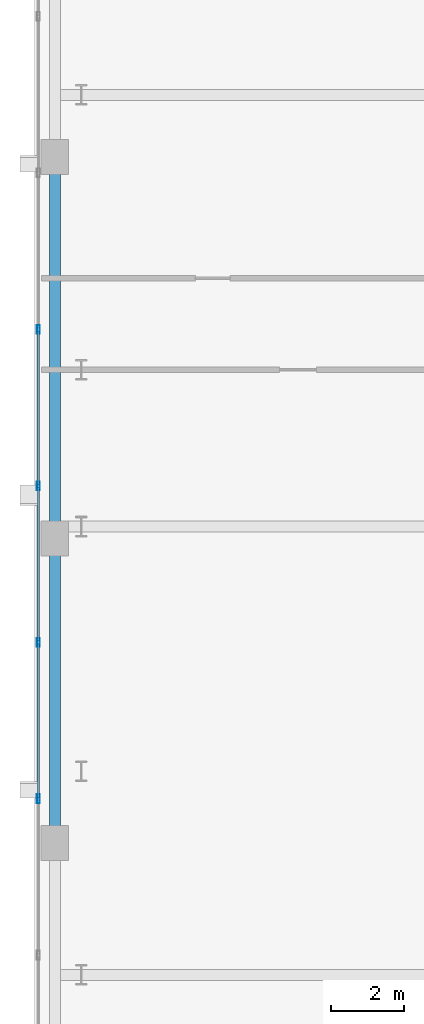
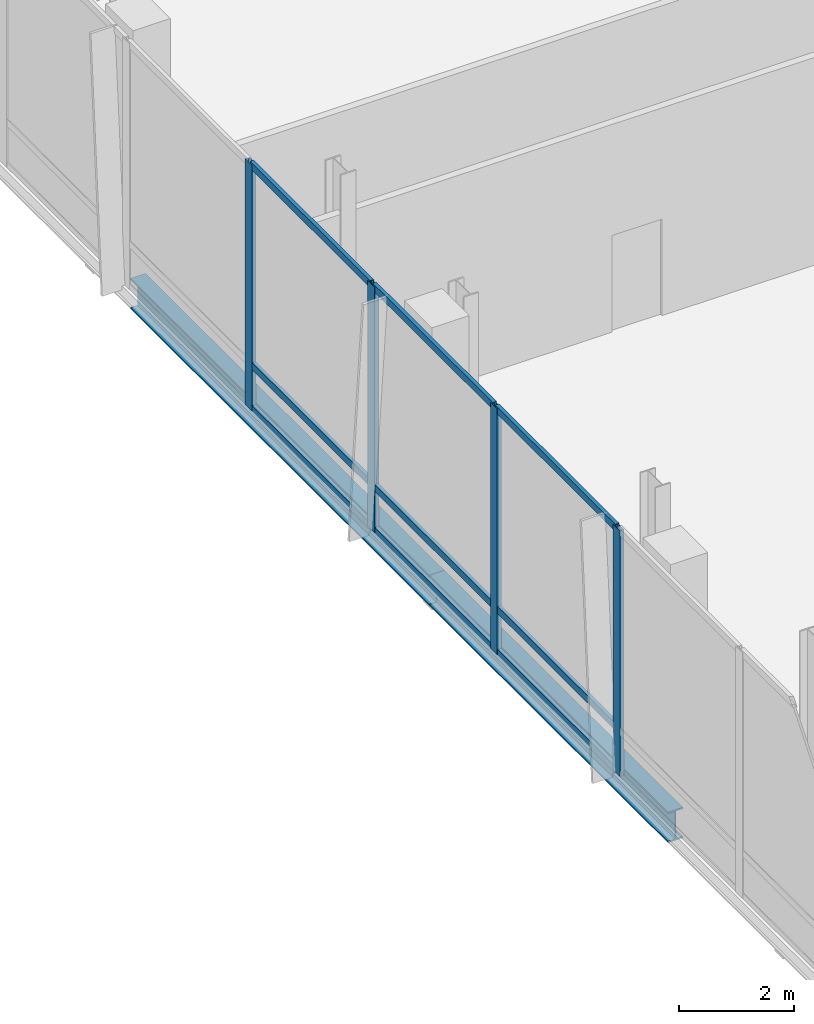
# One storey, part 8 of 26: 13 members, 2 beams, 1 element without a shape of its own.
"""IFC4 building model written with IfcOpenShell, lengths in metres."""

from ifc_helpers import new_model, si_unit, direction, frame, origin, origin_2d, place, context, subcontext, project, spatial, hollow_rectangle, i_section, extrude, material, material_profile, profile_set, type_object, element, aggregate, save


model = new_model("IFC4")

# Units and contexts
model_context = context("Model", 3, precision=1e-05, world=origin(), true_north=direction((0.0, 1.0)))
body_context = subcontext(model_context, "Body", "Model", "MODEL_VIEW")
ifc_project = project(units=[si_unit("LENGTHUNIT", "METRE"), si_unit("AREAUNIT", "SQUARE_METRE"), si_unit("VOLUMEUNIT", "CUBIC_METRE"), si_unit("PLANEANGLEUNIT", "RADIAN"), si_unit("MASSUNIT", "GRAM", prefix="KILO")], contexts=[model_context])

# Site, building, storey
site_placement = place(None, origin())
site = spatial("IfcSite", under=ifc_project, at=site_placement, CompositionType="ELEMENT")
building_placement = place(site_placement, origin())
building = spatial("IfcBuilding", under=site, at=building_placement, Name="Khoronbel Lancet Exchange", CompositionType="ELEMENT")
storey_placement = place(building_placement, frame((0.0, 0.0, 20.39990234375)))
storey = spatial("IfcBuildingStorey", under=building, at=storey_placement, Name="L04", CompositionType="ELEMENT", Elevation=20.39990234375)

# Beams
ifc_material_1 = material(Name="Steel S355", Category="steel")
ifc_material_profile_1 = material_profile(ifc_material_1, i_section(OverallWidth=0.300048828125, OverallDepth=0.64990234375, WebThickness=0.01611328125, FlangeThickness=0.031005859375, at=origin_2d()), Name="HEB 650")
ifc_profile_set_1 = profile_set([ifc_material_profile_1], Name="Steel S355")
beam_type = type_object("IfcBeamType", Name="BM-BSP1", PredefinedType="SPANDREL", material=ifc_profile_set_1)
beam_1_placement = place(storey_placement, frame((0.550048828125, 41.5, -0.544921875), z_axis=(0.0, -1.0, 0.0), x_axis=(1.0, 0.0, 0.0)))
element("IfcBeam", 1, at=beam_1_placement, inside=storey, type_object=beam_type, Name="Level L04 perimeter spandrel beam SP16", PredefinedType="SPANDREL", context=body_context, shape_type="SweptSolid", body=[
    extrude(i_section(OverallWidth=0.300048828125, OverallDepth=0.64990234375, WebThickness=0.01611328125, FlangeThickness=0.031005859375, at=origin_2d()), origin(), (0.0, 0.0, 1.0), 10.39990234375),
])
beam_2_placement = place(storey_placement, frame((0.550048828125, 31.10009765625, -0.544921875), z_axis=(0.0, -1.0, 0.0), x_axis=(1.0, 0.0, 0.0)))
element("IfcBeam", 2, at=beam_2_placement, inside=storey, type_object=beam_type, Name="Level L04 perimeter spandrel beam SP17", PredefinedType="SPANDREL", context=body_context, shape_type="SweptSolid", body=[
    extrude(i_section(OverallWidth=0.300048828125, OverallDepth=0.64990234375, WebThickness=0.01611328125, FlangeThickness=0.031005859375, at=origin_2d()), origin(), (0.0, 0.0, 1.0), 8.300048828125),
])

# Curtain wall, members
ifc_material_2 = material(Name="Low-E Solar Control Insulating Glass", Category="glass")
curtain_wall_type = type_object("IfcCurtainWallType", Name="CW-5", PredefinedType="NOTDEFINED", material=ifc_material_2)
curtain_wall_placement = place(storey_placement, origin())
curtain_wall = element("IfcCurtainWall", 3, at=curtain_wall_placement, inside=storey, type_object=curtain_wall_type, Name="Unitised curtain wall CW-L04-WEST", PredefinedType="NOTDEFINED")
ifc_material_3 = material(Name="Bronze-Anodised Aluminium 6063-T6", Category="aluminium")
ifc_material_profile_2 = material_profile(ifc_material_3, hollow_rectangle(XDim=0.0849609375, YDim=0.239990234375, WallThickness=0.006103515625, at=origin_2d()), Name="ALU MULLION 85x240")
ifc_profile_set_2 = profile_set([ifc_material_profile_2], Name="Bronze-Anodised Aluminium 6063-T6")
member_type_1 = type_object("IfcMemberType", Name="MEM-CWM1", PredefinedType="MULLION", material=ifc_profile_set_2)
member_1_placement = place(storey_placement, frame((0.10009765625, 36.800048828125, 0.0), z_axis=(0.0, 0.0, 1.0), x_axis=(1.0, 0.0, 0.0)))
member_1 = element("IfcMember", 4, at=member_1_placement, type_object=member_type_1, Name="CW5 mullion 4", PredefinedType="MULLION", context=body_context, shape_type="SweptSolid", body=[
    extrude(hollow_rectangle(XDim=0.0849609375, YDim=0.239990234375, WallThickness=0.006103515625, at=origin_2d()), origin(), (0.0, 0.0, 1.0), 5.22021484375),
])
member_2_placement = place(storey_placement, frame((0.10009765625, 32.533447265625, 0.0), z_axis=(0.0, 0.0, 1.0), x_axis=(1.0, 0.0, 0.0)))
member_2 = element("IfcMember", 5, at=member_2_placement, type_object=member_type_1, Name="CW5 mullion 5", PredefinedType="MULLION", context=body_context, shape_type="SweptSolid", body=[
    extrude(hollow_rectangle(XDim=0.0849609375, YDim=0.239990234375, WallThickness=0.006103515625, at=origin_2d()), origin(), (0.0, 0.0, 1.0), 5.22021484375),
])
member_3_placement = place(storey_placement, frame((0.10009765625, 28.2666015625, 0.0), z_axis=(0.0, 0.0, 1.0), x_axis=(1.0, 0.0, 0.0)))
member_3 = element("IfcMember", 6, at=member_3_placement, type_object=member_type_1, Name="CW5 mullion 6", PredefinedType="MULLION", context=body_context, shape_type="SweptSolid", body=[
    extrude(hollow_rectangle(XDim=0.0849609375, YDim=0.239990234375, WallThickness=0.006103515625, at=origin_2d()), origin(), (0.0, 0.0, 1.0), 5.22021484375),
])
member_4_placement = place(storey_placement, frame((0.10009765625, 24.0, 0.0), z_axis=(0.0, 0.0, 1.0), x_axis=(1.0, 0.0, 0.0)))
member_4 = element("IfcMember", 7, at=member_4_placement, type_object=member_type_1, Name="CW5 mullion 7", PredefinedType="MULLION", context=body_context, shape_type="SweptSolid", body=[
    extrude(hollow_rectangle(XDim=0.0849609375, YDim=0.239990234375, WallThickness=0.006103515625, at=origin_2d()), origin(), (0.0, 0.0, 1.0), 5.22021484375),
])
ifc_material_profile_3 = material_profile(ifc_material_3, hollow_rectangle(XDim=0.074951171875, YDim=0.14990234375, WallThickness=0.00439453125, at=origin_2d()), Name="ALU TRANSOM 75x150")
ifc_profile_set_3 = profile_set([ifc_material_profile_3], Name="Bronze-Anodised Aluminium 6063-T6")
member_type_2 = type_object("IfcMemberType", Name="MEM-CWT2", PredefinedType="USERDEFINED", material=ifc_profile_set_3)
member_5_placement = place(storey_placement, frame((0.10009765625, 36.757568359375, 0.03759765625), z_axis=(0.0, -1.0, 0.0), x_axis=(1.0, 0.0, 0.0)))
member_5 = element("IfcMember", 8, at=member_5_placement, type_object=member_type_2, Name="CW5 transom 4.1", ObjectType="TRANSOM", PredefinedType="USERDEFINED", context=body_context, shape_type="SweptSolid", body=[
    extrude(hollow_rectangle(XDim=0.074951171875, YDim=0.14990234375, WallThickness=0.00439453125, at=origin_2d()), origin(), (0.0, 0.0, 1.0), 4.181640625),
])
member_6_placement = place(storey_placement, frame((0.10009765625, 36.757568359375, 0.9501953125), z_axis=(0.0, -1.0, 0.0), x_axis=(1.0, 0.0, 0.0)))
member_6 = element("IfcMember", 9, at=member_6_placement, type_object=member_type_2, Name="CW5 transom 4.2", ObjectType="TRANSOM", PredefinedType="USERDEFINED", context=body_context, shape_type="SweptSolid", body=[
    extrude(hollow_rectangle(XDim=0.074951171875, YDim=0.14990234375, WallThickness=0.00439453125, at=origin_2d()), origin(), (0.0, 0.0, 1.0), 4.181640625),
])
member_7_placement = place(storey_placement, frame((0.10009765625, 36.757568359375, 5.1826171875), z_axis=(0.0, -1.0, 0.0), x_axis=(1.0, 0.0, 0.0)))
member_7 = element("IfcMember", 10, at=member_7_placement, type_object=member_type_2, Name="CW5 transom 4.3", ObjectType="TRANSOM", PredefinedType="USERDEFINED", context=body_context, shape_type="SweptSolid", body=[
    extrude(hollow_rectangle(XDim=0.074951171875, YDim=0.14990234375, WallThickness=0.00439453125, at=origin_2d()), origin(), (0.0, 0.0, 1.0), 4.181640625),
])
member_8_placement = place(storey_placement, frame((0.10009765625, 32.49072265625, 0.03759765625), z_axis=(0.0, -1.0, 0.0), x_axis=(1.0, 0.0, 0.0)))
member_8 = element("IfcMember", 11, at=member_8_placement, type_object=member_type_2, Name="CW5 transom 5.1", ObjectType="TRANSOM", PredefinedType="USERDEFINED", context=body_context, shape_type="SweptSolid", body=[
    extrude(hollow_rectangle(XDim=0.074951171875, YDim=0.14990234375, WallThickness=0.00439453125, at=origin_2d()), origin(), (0.0, 0.0, 1.0), 4.181640625),
])
member_9_placement = place(storey_placement, frame((0.10009765625, 32.49072265625, 0.9501953125), z_axis=(0.0, -1.0, 0.0), x_axis=(1.0, 0.0, 0.0)))
member_9 = element("IfcMember", 12, at=member_9_placement, type_object=member_type_2, Name="CW5 transom 5.2", ObjectType="TRANSOM", PredefinedType="USERDEFINED", context=body_context, shape_type="SweptSolid", body=[
    extrude(hollow_rectangle(XDim=0.074951171875, YDim=0.14990234375, WallThickness=0.00439453125, at=origin_2d()), origin(), (0.0, 0.0, 1.0), 4.181640625),
])
member_10_placement = place(storey_placement, frame((0.10009765625, 32.49072265625, 5.1826171875), z_axis=(0.0, -1.0, 0.0), x_axis=(1.0, 0.0, 0.0)))
member_10 = element("IfcMember", 13, at=member_10_placement, type_object=member_type_2, Name="CW5 transom 5.3", ObjectType="TRANSOM", PredefinedType="USERDEFINED", context=body_context, shape_type="SweptSolid", body=[
    extrude(hollow_rectangle(XDim=0.074951171875, YDim=0.14990234375, WallThickness=0.00439453125, at=origin_2d()), origin(), (0.0, 0.0, 1.0), 4.181640625),
])
member_11_placement = place(storey_placement, frame((0.10009765625, 28.22412109375, 0.03759765625), z_axis=(0.0, -1.0, 0.0), x_axis=(1.0, 0.0, 0.0)))
member_11 = element("IfcMember", 14, at=member_11_placement, type_object=member_type_2, Name="CW5 transom 6.1", ObjectType="TRANSOM", PredefinedType="USERDEFINED", context=body_context, shape_type="SweptSolid", body=[
    extrude(hollow_rectangle(XDim=0.074951171875, YDim=0.14990234375, WallThickness=0.00439453125, at=origin_2d()), origin(), (0.0, 0.0, 1.0), 4.181640625),
])
member_12_placement = place(storey_placement, frame((0.10009765625, 28.22412109375, 0.9501953125), z_axis=(0.0, -1.0, 0.0), x_axis=(1.0, 0.0, 0.0)))
member_12 = element("IfcMember", 15, at=member_12_placement, type_object=member_type_2, Name="CW5 transom 6.2", ObjectType="TRANSOM", PredefinedType="USERDEFINED", context=body_context, shape_type="SweptSolid", body=[
    extrude(hollow_rectangle(XDim=0.074951171875, YDim=0.14990234375, WallThickness=0.00439453125, at=origin_2d()), origin(), (0.0, 0.0, 1.0), 4.181640625),
])
member_13_placement = place(storey_placement, frame((0.10009765625, 28.22412109375, 5.1826171875), z_axis=(0.0, -1.0, 0.0), x_axis=(1.0, 0.0, 0.0)))
member_13 = element("IfcMember", 16, at=member_13_placement, type_object=member_type_2, Name="CW5 transom 6.3", ObjectType="TRANSOM", PredefinedType="USERDEFINED", context=body_context, shape_type="SweptSolid", body=[
    extrude(hollow_rectangle(XDim=0.074951171875, YDim=0.14990234375, WallThickness=0.00439453125, at=origin_2d()), origin(), (0.0, 0.0, 1.0), 4.181640625),
])
aggregate(curtain_wall, [member_1, member_2, member_3, member_4, member_5, member_6, member_7, member_8, member_9, member_10, member_11, member_12, member_13])

save(model, "model.ifc")
